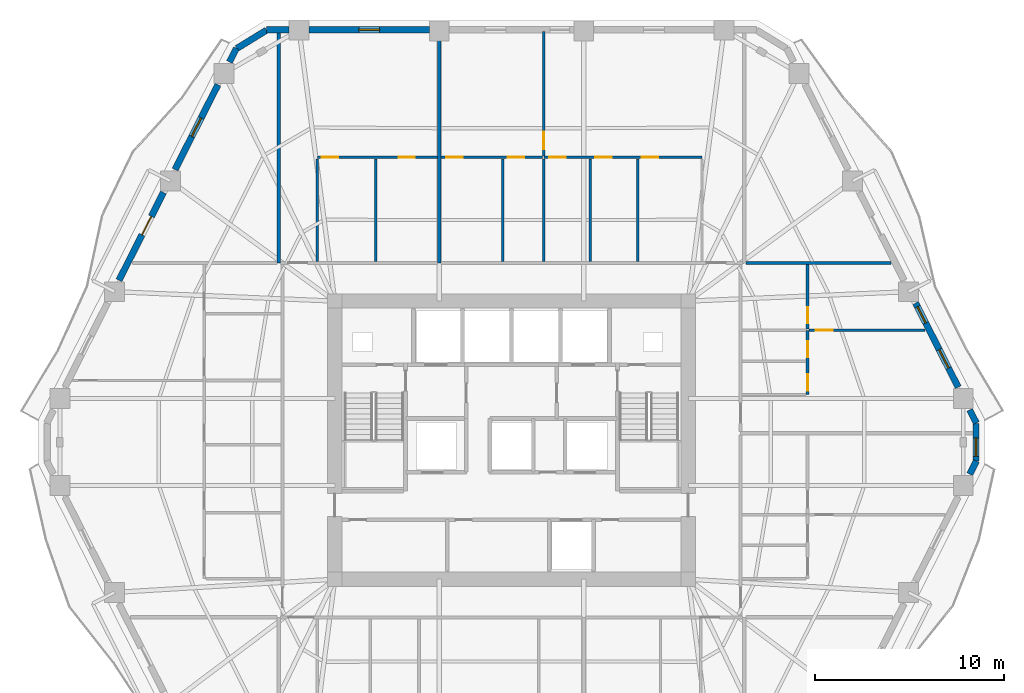
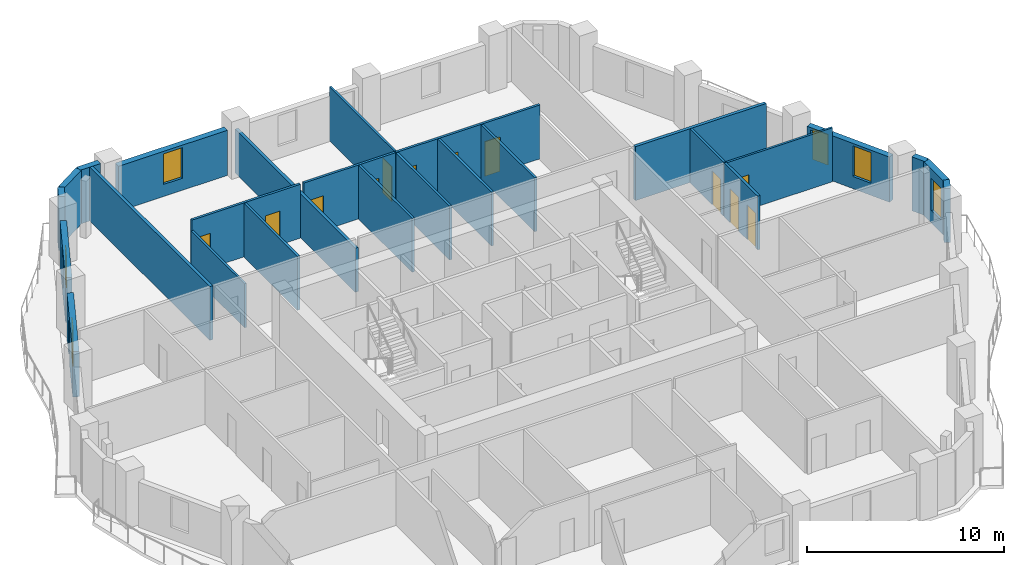
# One storey, part 7 of 11: 26 walls, 13 doors, 5 windows, 18 openings.
"""IFC4 building model written with IfcOpenShell, lengths in metres."""

from ifc_helpers import new_model, si_unit, direction, frame, frame_2d, origin, place, context, subcontext, project, spatial, rectangle, extrude, material, layer, layer_set, type_object, element, fill, save


model = new_model("IFC4")

# Units and contexts
model_context = context("Model", 3, precision=1e-05, world=origin(), true_north=direction((0.0, 1.0)))
body_context = subcontext(model_context, "Body", "Model", "MODEL_VIEW")
ifc_project = project(units=[si_unit("LENGTHUNIT", "METRE"), si_unit("AREAUNIT", "SQUARE_METRE"), si_unit("VOLUMEUNIT", "CUBIC_METRE"), si_unit("PLANEANGLEUNIT", "RADIAN"), si_unit("MASSUNIT", "GRAM", prefix="KILO")], contexts=[model_context])

# Site, building, storey
site_placement = place(None, origin())
site = spatial("IfcSite", under=ifc_project, at=site_placement, CompositionType="ELEMENT")
building_placement = place(site_placement, origin())
building = spatial("IfcBuilding", under=site, at=building_placement, Name="Cinnabar Lancet Tower", CompositionType="ELEMENT")
storey_placement = place(building_placement, frame((0.0, 0.0, 101.949951171875)))
storey = spatial("IfcBuildingStorey", under=building, at=storey_placement, Name="L26", CompositionType="ELEMENT", Elevation=101.949951171875)

# Walls
ifc_material_1 = material(Name="Fire-rated twin-frame acoustic drywall", Category="gypsum")
ifc_layer_1 = layer(ifc_material_1, 0.179931640625)
ifc_layer_set_1 = layer_set([ifc_layer_1], Name="Fire-rated twin-frame acoustic drywall")
wall_type_1 = type_object("IfcWallType", Name="ARC-WL-PARTY-180", PredefinedType="PARTITIONING", material=ifc_layer_set_1)
wall_1_placement = place(storey_placement, frame((20.050048828125, 35.300048828125, 0.0), z_axis=(0.0, 0.0, 1.0), x_axis=(0.0, 1.0, 0.0)))
element("IfcWall", 1, at=wall_1_placement, inside=storey, type_object=wall_type_1, Name="PW-L26-NPTY-200", PredefinedType="PARTITIONING", context=body_context, shape_type="SweptSolid", body=[
    extrude(rectangle(XDim=12.195068359375, YDim=0.179931640625, at=frame_2d((6.09765625, 0.0))), origin(), (0.0, 0.0, 1.0), 3.340087890625),
])
wall_2_placement = place(storey_placement, frame((28.568115234375, 35.300048828125, 0.0), z_axis=(0.0, 0.0, 1.0), x_axis=(0.0, 1.0, 0.0)))
element("IfcWall", 2, at=wall_2_placement, inside=storey, type_object=wall_type_1, Name="PW-L26-NPTY-286", PredefinedType="PARTITIONING", context=body_context, shape_type="SweptSolid", body=[
    extrude(rectangle(XDim=12.195068359375, YDim=0.179931640625, at=frame_2d((6.09765625, 0.0))), origin(), (0.0, 0.0, 1.0), 2.72216796875),
])
wall_3_placement = place(storey_placement, frame((44.844970703125, 35.300048828125, 0.0), z_axis=(0.0, 0.0, 1.0), x_axis=(1.0, 0.0, 0.0)))
element("IfcWall", 3, at=wall_3_placement, inside=storey, type_object=wall_type_1, Name="PW-L26-ENB", PredefinedType="PARTITIONING", context=body_context, shape_type="SweptSolid", body=[
    extrude(rectangle(XDim=7.6689453125, YDim=0.179931640625, at=frame_2d((3.83447265625, 0.0))), origin(), (0.0, 0.0, 1.0), 3.340087890625),
])
ifc_material_2 = material(Name="Gypsum plasterboard stud partition", Category="gypsum")
ifc_layer_2 = layer(ifc_material_2, 0.125)
ifc_layer_set_2 = layer_set([ifc_layer_2], Name="Gypsum plasterboard stud partition")
wall_type_2 = type_object("IfcWallType", Name="ARC-WL-UNIT-125", PredefinedType="PARTITIONING", material=ifc_layer_set_2)
wall_4_placement = place(storey_placement, frame((22.10009765625, 35.385009765625, 0.0), z_axis=(0.0, 0.0, 1.0), x_axis=(0.0, 1.0, 0.0)))
element("IfcWall", 4, at=wall_4_placement, inside=storey, type_object=wall_type_2, Name="UW-L26-N01-FOYE", PredefinedType="PARTITIONING", context=body_context, shape_type="SweptSolid", body=[
    extrude(rectangle(XDim=5.419921875, YDim=0.125, at=frame_2d((2.7099609375, 0.0))), origin(), (0.0, 0.0, 1.0), 2.72216796875),
])

# Wall, opening, door
wall_5_placement = place(storey_placement, frame((34.111083984375, 40.985107421875, 0.0), z_axis=(0.0, 0.0, 1.0), x_axis=(0.0, 1.0, 0.0)))
wall_5 = element("IfcWall", 5, at=wall_5_placement, inside=storey, type_object=wall_type_2, Name="UW-L26-N02-MBW", PredefinedType="PARTITIONING", context=body_context, shape_type="SweptSolid", body=[
    extrude(rectangle(XDim=6.599853515625, YDim=0.125, at=frame_2d((3.2998046875, 0.0))), origin(), (0.0, 0.0, 1.0), 3.340087890625),
])
opening_1_placement = place(wall_5_placement, frame((0.35009765625, 0.0, 0.0)))
opening_1 = element("IfcOpeningElement", 6, at=opening_1_placement, cuts=wall_5, Name="Opening RD-01", PredefinedType="OPENING", context=body_context, shape_type="SweptSolid", body=[
    extrude(rectangle(XDim=0.919921875, YDim=2.14990234375, at=frame_2d((0.4599609375, 1.074951171875))), frame((0.0, 0.072509765625, 0.0), z_axis=(0.0, -1.0, 0.0), x_axis=(1.0, 0.0, 0.0)), (0.0, 0.0, 1.0), 0.14501953125),
])
ifc_material_3 = material(Name="Engineered timber bedroom door", Category="wood")
door_type_1 = type_object("IfcDoorType", Name="ARC-DR-ROOM", OperationType="NOTDEFINED", PredefinedType="DOOR", material=ifc_material_3)
door_1_placement = place(opening_1_placement, origin())
door_1 = element("IfcDoor", 7, at=door_1_placement, inside=storey, type_object=door_type_1, Name="DR-L26-N02-MBD", OperationType="SINGLE_SWING_RIGHT", OverallHeight=2.14990234375, OverallWidth=0.919921875, PredefinedType="DOOR", context=body_context, shape_type="SweptSolid", body=[
    extrude(rectangle(XDim=0.919921875, YDim=2.14990234375, at=frame_2d((0.4599609375, 1.074951171875))), frame((0.0, 0.02490234375, 0.0), z_axis=(0.0, -1.0, 0.0), x_axis=(1.0, 0.0, 0.0)), (0.0, 0.0, 1.0), 0.050048828125),
])
fill(opening_1, door_1)

wall_6_placement = place(storey_placement, frame((48.175048828125, 31.72607421875, 0.0), z_axis=(0.0, 0.0, 1.0), x_axis=(1.0, 0.0, 0.0)))
wall_6 = element("IfcWall", 8, at=wall_6_placement, inside=storey, type_object=wall_type_2, Name="UW-L26-E02-MBN", PredefinedType="PARTITIONING", context=body_context, shape_type="SweptSolid", body=[
    extrude(rectangle(XDim=6.161865234375, YDim=0.125, at=frame_2d((3.0810546875, 0.0))), origin(), (0.0, 0.0, 1.0), 3.340087890625),
])
opening_2_placement = place(wall_6_placement, frame((0.35009765625, 0.0, 0.0)))
opening_2 = element("IfcOpeningElement", 9, at=opening_2_placement, cuts=wall_6, Name="Opening RD-01", PredefinedType="OPENING", context=body_context, shape_type="SweptSolid", body=[
    extrude(rectangle(XDim=0.919921875, YDim=2.14990234375, at=frame_2d((0.4599609375, 1.074951171875))), frame((0.0, 0.072509765625, 0.0), z_axis=(0.0, -1.0, 0.0), x_axis=(1.0, 0.0, 0.0)), (0.0, 0.0, 1.0), 0.14501953125),
])
door_2_placement = place(opening_2_placement, origin())
door_2 = element("IfcDoor", 10, at=door_2_placement, inside=storey, type_object=door_type_1, Name="DR-L26-E02-MBD", OperationType="SINGLE_SWING_LEFT", OverallHeight=2.14990234375, OverallWidth=0.919921875, PredefinedType="DOOR", context=body_context, shape_type="SweptSolid", body=[
    extrude(rectangle(XDim=0.919921875, YDim=2.14990234375, at=frame_2d((0.4599609375, 1.074951171875))), frame((0.0, 0.02490234375, 0.0), z_axis=(0.0, -1.0, 0.0), x_axis=(1.0, 0.0, 0.0)), (0.0, 0.0, 1.0), 0.050048828125),
])
fill(opening_2, door_2)

# Wall, openings, doors
ifc_material_4 = material(Name="Moisture-resistant cement-board plumbing wall", Category="masonry")
ifc_layer_3 = layer(ifc_material_4, 0.139892578125)
ifc_layer_set_3 = layer_set([ifc_layer_3], Name="Moisture-resistant cement-board plumbing wall")
wall_type_3 = type_object("IfcWallType", Name="ARC-WL-WET-140", PredefinedType="PLUMBINGWALL", material=ifc_layer_set_3)
wall_7_placement = place(storey_placement, frame((22.10009765625, 40.909912109375, 0.0), z_axis=(0.0, 0.0, 1.0), x_axis=(1.0, 0.0, 0.0)))
wall_7 = element("IfcWall", 11, at=wall_7_placement, inside=storey, type_object=wall_type_3, Name="UW-L26-N01-SPL", PredefinedType="PLUMBINGWALL", context=body_context, shape_type="SweptSolid", body=[
    extrude(rectangle(XDim=6.372802734375, YDim=0.139892578125, at=frame_2d((3.1865234375, 0.0))), origin(), (0.0, 0.0, 1.0), 3.340087890625),
])
opening_3_placement = place(wall_7_placement, frame((4.31396484375, 0.0, 0.0)))
opening_3 = element("IfcOpeningElement", 12, at=opening_3_placement, cuts=wall_7, Name="Opening BD-01", PredefinedType="OPENING", context=body_context, shape_type="SweptSolid", body=[
    extrude(rectangle(XDim=0.860107421875, YDim=2.10009765625, at=frame_2d((0.43017578125, 1.050048828125))), frame((0.0, 0.079833984375, 0.0), z_axis=(0.0, -1.0, 0.0), x_axis=(1.0, 0.0, 0.0)), (0.0, 0.0, 1.0), 0.159912109375),
])
opening_4_placement = place(wall_7_placement, frame((0.219970703125, 0.0, 0.0)))
opening_4 = element("IfcOpeningElement", 13, at=opening_4_placement, cuts=wall_7, Name="Opening RD-02", PredefinedType="OPENING", context=body_context, shape_type="SweptSolid", body=[
    extrude(rectangle(XDim=0.8798828125, YDim=2.14990234375, at=frame_2d((0.43994140625, 1.074951171875))), frame((0.0, 0.079833984375, 0.0), z_axis=(0.0, -1.0, 0.0), x_axis=(1.0, 0.0, 0.0)), (0.0, 0.0, 1.0), 0.159912109375),
])
ifc_material_5 = material(Name="Moisture-resistant timber bathroom door", Category="wood")
door_type_2 = type_object("IfcDoorType", Name="ARC-DR-BATH", OperationType="NOTDEFINED", PredefinedType="DOOR", material=ifc_material_5)
door_3_placement = place(opening_3_placement, origin())
door_3 = element("IfcDoor", 14, at=door_3_placement, inside=storey, type_object=door_type_2, Name="DR-L26-N01-BTH", OperationType="SINGLE_SWING_RIGHT", OverallHeight=2.10009765625, OverallWidth=0.860107421875, PredefinedType="DOOR", context=body_context, shape_type="SweptSolid", body=[
    extrude(rectangle(XDim=0.860107421875, YDim=2.10009765625, at=frame_2d((0.43017578125, 1.050048828125))), frame((0.0, 0.02490234375, 0.0), z_axis=(0.0, -1.0, 0.0), x_axis=(1.0, 0.0, 0.0)), (0.0, 0.0, 1.0), 0.050048828125),
])
fill(opening_3, door_3)
ifc_material_6 = material(Name="Engineered timber study door", Category="wood")
door_type_3 = type_object("IfcDoorType", Name="ARC-DR-STUDY", OperationType="NOTDEFINED", PredefinedType="DOOR", material=ifc_material_6)
door_4_placement = place(opening_4_placement, origin())
door_4 = element("IfcDoor", 15, at=door_4_placement, inside=storey, type_object=door_type_3, Name="DR-L26-N01-KIT", OperationType="SINGLE_SWING_LEFT", OverallHeight=2.14990234375, OverallWidth=0.8798828125, PredefinedType="DOOR", context=body_context, shape_type="SweptSolid", body=[
    extrude(rectangle(XDim=0.8798828125, YDim=2.14990234375, at=frame_2d((0.43994140625, 1.074951171875))), frame((0.0, 0.02490234375, 0.0), z_axis=(0.0, -1.0, 0.0), x_axis=(1.0, 0.0, 0.0)), (0.0, 0.0, 1.0), 0.050048828125),
])
fill(opening_4, door_4)

# Wall
wall_8_placement = place(storey_placement, frame((25.205078125, 35.385009765625, 0.0), z_axis=(0.0, 0.0, 1.0), x_axis=(0.0, 1.0, 0.0)))
element("IfcWall", 16, at=wall_8_placement, inside=storey, type_object=wall_type_3, Name="UW-L26-N01-KDV", PredefinedType="PLUMBINGWALL", context=body_context, shape_type="SweptSolid", body=[
    extrude(rectangle(XDim=5.419921875, YDim=0.139892578125, at=frame_2d((2.7099609375, 0.0))), origin(), (0.0, 0.0, 1.0), 3.340087890625),
])

# Wall, openings, doors
wall_9_placement = place(storey_placement, frame((34.111083984375, 40.909912109375, 0.0), z_axis=(0.0, 0.0, 1.0), x_axis=(1.0, 0.0, 0.0)))
wall_9 = element("IfcWall", 17, at=wall_9_placement, inside=storey, type_object=wall_type_3, Name="UW-L26-N02-SPL", PredefinedType="PLUMBINGWALL", context=body_context, shape_type="SweptSolid", body=[
    extrude(rectangle(XDim=8.388916015625, YDim=0.139892578125, at=frame_2d((4.1943359375, 0.0))), origin(), (0.0, 0.0, 1.0), 3.340087890625),
])
opening_5_placement = place(wall_9_placement, frame((0.280029296875, 0.0, 0.0)))
opening_5 = element("IfcOpeningElement", 18, at=opening_5_placement, cuts=wall_9, Name="Opening RD-02", PredefinedType="OPENING", context=body_context, shape_type="SweptSolid", body=[
    extrude(rectangle(XDim=0.8798828125, YDim=2.14990234375, at=frame_2d((0.43994140625, 1.074951171875))), frame((0.0, 0.079833984375, 0.0), z_axis=(0.0, -1.0, 0.0), x_axis=(1.0, 0.0, 0.0)), (0.0, 0.0, 1.0), 0.159912109375),
])
opening_6_placement = place(wall_9_placement, frame((2.737060546875, 0.0, 0.0)))
opening_6 = element("IfcOpeningElement", 19, at=opening_6_placement, cuts=wall_9, Name="Opening BD-01", PredefinedType="OPENING", context=body_context, shape_type="SweptSolid", body=[
    extrude(rectangle(XDim=0.860107421875, YDim=2.10009765625, at=frame_2d((0.43017578125, 1.050048828125))), frame((0.0, 0.079833984375, 0.0), z_axis=(0.0, -1.0, 0.0), x_axis=(1.0, 0.0, 0.0)), (0.0, 0.0, 1.0), 0.159912109375),
])
opening_7_placement = place(wall_9_placement, frame((5.18896484375, 0.0, 0.0)))
opening_7 = element("IfcOpeningElement", 20, at=opening_7_placement, cuts=wall_9, Name="Opening RD-02", PredefinedType="OPENING", context=body_context, shape_type="SweptSolid", body=[
    extrude(rectangle(XDim=0.8798828125, YDim=2.14990234375, at=frame_2d((0.43994140625, 1.074951171875))), frame((0.0, 0.079833984375, 0.0), z_axis=(0.0, -1.0, 0.0), x_axis=(1.0, 0.0, 0.0)), (0.0, 0.0, 1.0), 0.159912109375),
])
door_5_placement = place(opening_6_placement, origin())
door_5 = element("IfcDoor", 21, at=door_5_placement, inside=storey, type_object=door_type_2, Name="DR-L26-N02-BTH", OperationType="SINGLE_SWING_LEFT", OverallHeight=2.10009765625, OverallWidth=0.860107421875, PredefinedType="DOOR", context=body_context, shape_type="SweptSolid", body=[
    extrude(rectangle(XDim=0.860107421875, YDim=2.10009765625, at=frame_2d((0.43017578125, 1.050048828125))), frame((0.0, 0.02490234375, 0.0), z_axis=(0.0, -1.0, 0.0), x_axis=(1.0, 0.0, 0.0)), (0.0, 0.0, 1.0), 0.050048828125),
])
fill(opening_6, door_5)
door_6_placement = place(opening_5_placement, origin())
door_6 = element("IfcDoor", 22, at=door_6_placement, inside=storey, type_object=door_type_3, Name="DR-L26-N02-BTH-WDR", OperationType="SINGLE_SWING_RIGHT", OverallHeight=2.14990234375, OverallWidth=0.8798828125, PredefinedType="DOOR", context=body_context, shape_type="SweptSolid", body=[
    extrude(rectangle(XDim=0.8798828125, YDim=2.14990234375, at=frame_2d((0.43994140625, 1.074951171875))), frame((0.0, 0.02490234375, 0.0), z_axis=(0.0, -1.0, 0.0), x_axis=(1.0, 0.0, 0.0)), (0.0, 0.0, 1.0), 0.050048828125),
])
fill(opening_5, door_6)
door_7_placement = place(opening_7_placement, origin())
door_7 = element("IfcDoor", 23, at=door_7_placement, inside=storey, type_object=door_type_3, Name="DR-L26-N02-KIT", OperationType="SINGLE_SWING_LEFT", OverallHeight=2.14990234375, OverallWidth=0.8798828125, PredefinedType="DOOR", context=body_context, shape_type="SweptSolid", body=[
    extrude(rectangle(XDim=0.8798828125, YDim=2.14990234375, at=frame_2d((0.43994140625, 1.074951171875))), frame((0.0, 0.02490234375, 0.0), z_axis=(0.0, -1.0, 0.0), x_axis=(1.0, 0.0, 0.0)), (0.0, 0.0, 1.0), 0.050048828125),
])
fill(opening_7, door_7)

wall_10_placement = place(storey_placement, frame((28.6630859375, 40.909912109375, 0.0), z_axis=(0.0, 0.0, 1.0), x_axis=(1.0, 0.0, 0.0)))
wall_10 = element("IfcWall", 24, at=wall_10_placement, inside=storey, type_object=wall_type_3, Name="UW-L26-N02-SPM", PredefinedType="PLUMBINGWALL", context=body_context, shape_type="SweptSolid", body=[
    extrude(rectangle(XDim=5.372802734375, YDim=0.139892578125, at=frame_2d((2.6865234375, 0.0))), origin(), (0.0, 0.0, 1.0), 3.340087890625),
])
opening_8_placement = place(wall_10_placement, frame((0.280029296875, 0.0, 0.0)))
opening_8 = element("IfcOpeningElement", 25, at=opening_8_placement, cuts=wall_10, Name="Opening RD-02", PredefinedType="OPENING", context=body_context, shape_type="SweptSolid", body=[
    extrude(rectangle(XDim=0.8798828125, YDim=2.14990234375, at=frame_2d((0.43994140625, 1.074951171875))), frame((0.0, 0.079833984375, 0.0), z_axis=(0.0, -1.0, 0.0), x_axis=(1.0, 0.0, 0.0)), (0.0, 0.0, 1.0), 0.159912109375),
])
opening_9_placement = place(wall_10_placement, frame((3.54296875, 0.0, 0.0)))
opening_9 = element("IfcOpeningElement", 26, at=opening_9_placement, cuts=wall_10, Name="Opening BD-01", PredefinedType="OPENING", context=body_context, shape_type="SweptSolid", body=[
    extrude(rectangle(XDim=0.860107421875, YDim=2.10009765625, at=frame_2d((0.43017578125, 1.050048828125))), frame((0.0, 0.079833984375, 0.0), z_axis=(0.0, -1.0, 0.0), x_axis=(1.0, 0.0, 0.0)), (0.0, 0.0, 1.0), 0.159912109375),
])
door_8_placement = place(opening_9_placement, origin())
door_8 = element("IfcDoor", 27, at=door_8_placement, inside=storey, type_object=door_type_2, Name="DR-L26-N02-ENS", OperationType="SINGLE_SWING_RIGHT", OverallHeight=2.10009765625, OverallWidth=0.860107421875, PredefinedType="DOOR", context=body_context, shape_type="SweptSolid", body=[
    extrude(rectangle(XDim=0.860107421875, YDim=2.10009765625, at=frame_2d((0.43017578125, 1.050048828125))), frame((0.0, 0.02490234375, 0.0), z_axis=(0.0, -1.0, 0.0), x_axis=(1.0, 0.0, 0.0)), (0.0, 0.0, 1.0), 0.050048828125),
])
fill(opening_9, door_8)
door_9_placement = place(opening_8_placement, origin())
door_9 = element("IfcDoor", 28, at=door_9_placement, inside=storey, type_object=door_type_3, Name="DR-L26-N02-ENS-WDR", OperationType="SINGLE_SWING_LEFT", OverallHeight=2.14990234375, OverallWidth=0.8798828125, PredefinedType="DOOR", context=body_context, shape_type="SweptSolid", body=[
    extrude(rectangle(XDim=0.8798828125, YDim=2.14990234375, at=frame_2d((0.43994140625, 1.074951171875))), frame((0.0, 0.02490234375, 0.0), z_axis=(0.0, -1.0, 0.0), x_axis=(1.0, 0.0, 0.0)), (0.0, 0.0, 1.0), 0.050048828125),
])
fill(opening_8, door_9)

# Walls
for number, where, z_axis, x_axis, name in (
    (29, (39.10009765625, 35.385009765625, 0.0), (0.0, 0.0, 1.0), (0.0, 1.0, 0.0), "UW-L26-N02-KBD"),
    (30, (34.111083984375, 35.385009765625, 0.0), (0.0, 0.0, 1.0), (0.0, 1.0, 0.0), "UW-L26-N02-ENSW"),
):
    element("IfcWall", number, at=place(storey_placement, frame(where, z_axis=z_axis, x_axis=x_axis)), inside=storey, type_object=wall_type_3, Name=name, PredefinedType="PLUMBINGWALL", context=body_context, shape_type="SweptSolid", body=[
        extrude(rectangle(XDim=5.419921875, YDim=0.139892578125, at=frame_2d((2.7099609375, 0.0))), origin(), (0.0, 0.0, 1.0), 3.340087890625),
    ])
for number, where, z_axis, x_axis, name in (
    (31, (36.568115234375, 35.385009765625, 0.0), (0.0, 0.0, 1.0), (0.0, 1.0, 0.0), "UW-L26-N02-BTH-WDV"),
    (32, (31.926025390625, 35.385009765625, 0.0), (0.0, 0.0, 1.0), (0.0, 1.0, 0.0), "UW-L26-N02-ENS-WDV"),
):
    element("IfcWall", number, at=place(storey_placement, frame(where, z_axis=z_axis, x_axis=x_axis)), inside=storey, type_object=wall_type_3, Name=name, PredefinedType="PLUMBINGWALL", context=body_context, shape_type="SweptSolid", body=[
        extrude(rectangle(XDim=5.43994140625, YDim=0.139892578125, at=frame_2d((2.719970703125, 0.0))), origin(), (0.0, 0.0, 1.0), 3.340087890625),
    ])

# Wall, openings, doors
wall_11_placement = place(storey_placement, frame((48.10009765625, 28.325927734375, 0.0), z_axis=(0.0, 0.0, 1.0), x_axis=(0.0, 1.0, 0.0)))
wall_11 = element("IfcWall", 33, at=wall_11_placement, inside=storey, type_object=wall_type_3, Name="UW-L26-E02-SPL", PredefinedType="PLUMBINGWALL", context=body_context, shape_type="SweptSolid", body=[
    extrude(rectangle(XDim=3.400146484375, YDim=0.139892578125, at=frame_2d((1.7001953125, 0.0))), origin(), (0.0, 0.0, 1.0), 3.340087890625),
])
opening_10_placement = place(wall_11_placement, frame((0.199951171875, 0.0, 0.0)))
opening_10 = element("IfcOpeningElement", 34, at=opening_10_placement, cuts=wall_11, Name="Opening RD-02", PredefinedType="OPENING", context=body_context, shape_type="SweptSolid", body=[
    extrude(rectangle(XDim=0.8798828125, YDim=2.14990234375, at=frame_2d((0.43994140625, 1.074951171875))), frame((0.0, 0.079833984375, 0.0), z_axis=(0.0, -1.0, 0.0), x_axis=(1.0, 0.0, 0.0)), (0.0, 0.0, 1.0), 0.159912109375),
])
opening_11_placement = place(wall_11_placement, frame((1.968017578125, 0.0, 0.0)))
opening_11 = element("IfcOpeningElement", 35, at=opening_11_placement, cuts=wall_11, Name="Opening BD-01", PredefinedType="OPENING", context=body_context, shape_type="SweptSolid", body=[
    extrude(rectangle(XDim=0.860107421875, YDim=2.10009765625, at=frame_2d((0.43017578125, 1.050048828125))), frame((0.0, 0.079833984375, 0.0), z_axis=(0.0, -1.0, 0.0), x_axis=(1.0, 0.0, 0.0)), (0.0, 0.0, 1.0), 0.159912109375),
])
door_10_placement = place(opening_11_placement, origin())
door_10 = element("IfcDoor", 36, at=door_10_placement, inside=storey, type_object=door_type_2, Name="DR-L26-E02-BTH", OperationType="SINGLE_SWING_LEFT", OverallHeight=2.10009765625, OverallWidth=0.860107421875, PredefinedType="DOOR", context=body_context, shape_type="SweptSolid", body=[
    extrude(rectangle(XDim=0.860107421875, YDim=2.10009765625, at=frame_2d((0.43017578125, 1.050048828125))), frame((0.0, 0.02490234375, 0.0), z_axis=(0.0, -1.0, 0.0), x_axis=(1.0, 0.0, 0.0)), (0.0, 0.0, 1.0), 0.050048828125),
])
fill(opening_11, door_10)
door_11_placement = place(opening_10_placement, origin())
door_11 = element("IfcDoor", 37, at=door_11_placement, inside=storey, type_object=door_type_3, Name="DR-L26-E02-KIT", OperationType="SINGLE_SWING_RIGHT", OverallHeight=2.14990234375, OverallWidth=0.8798828125, PredefinedType="DOOR", context=body_context, shape_type="SweptSolid", body=[
    extrude(rectangle(XDim=0.8798828125, YDim=2.14990234375, at=frame_2d((0.43994140625, 1.074951171875))), frame((0.0, 0.02490234375, 0.0), z_axis=(0.0, -1.0, 0.0), x_axis=(1.0, 0.0, 0.0)), (0.0, 0.0, 1.0), 0.050048828125),
])
fill(opening_10, door_11)

# Wall, opening, door
wall_12_placement = place(storey_placement, frame((48.10009765625, 31.7958984375, 0.0), z_axis=(0.0, 0.0, 1.0), x_axis=(0.0, 1.0, 0.0)))
wall_12 = element("IfcWall", 38, at=wall_12_placement, inside=storey, type_object=wall_type_3, Name="UW-L26-E02-SPM", PredefinedType="PLUMBINGWALL", context=body_context, shape_type="SweptSolid", body=[
    extrude(rectangle(XDim=3.4091796875, YDim=0.139892578125, at=frame_2d((1.70458984375, 0.0))), origin(), (0.0, 0.0, 1.0), 3.340087890625),
])
opening_12_placement = place(wall_12_placement, frame((0.300048828125, 0.0, 0.0)))
opening_12 = element("IfcOpeningElement", 39, at=opening_12_placement, cuts=wall_12, Name="Opening BD-01", PredefinedType="OPENING", context=body_context, shape_type="SweptSolid", body=[
    extrude(rectangle(XDim=0.860107421875, YDim=2.10009765625, at=frame_2d((0.43017578125, 1.050048828125))), frame((0.0, 0.079833984375, 0.0), z_axis=(0.0, -1.0, 0.0), x_axis=(1.0, 0.0, 0.0)), (0.0, 0.0, 1.0), 0.159912109375),
])
door_12_placement = place(opening_12_placement, origin())
door_12 = element("IfcDoor", 40, at=door_12_placement, inside=storey, type_object=door_type_2, Name="DR-L26-E02-ENS", OperationType="SINGLE_SWING_LEFT", OverallHeight=2.10009765625, OverallWidth=0.860107421875, PredefinedType="DOOR", context=body_context, shape_type="SweptSolid", body=[
    extrude(rectangle(XDim=0.860107421875, YDim=2.10009765625, at=frame_2d((0.43017578125, 1.050048828125))), frame((0.0, 0.02490234375, 0.0), z_axis=(0.0, -1.0, 0.0), x_axis=(1.0, 0.0, 0.0)), (0.0, 0.0, 1.0), 0.050048828125),
])
fill(opening_12, door_12)

# Wall, opening, window
ifc_material_7 = material(Name="Cinnabar red clay brick", Category="masonry")
ifc_layer_4 = layer(ifc_material_7, 0.340087890625)
ifc_layer_set_4 = layer_set([ifc_layer_4], Name="Cinnabar red clay brick")
wall_type_4 = type_object("IfcWallType", Name="ENV-WL-BRK-RED-340", PredefinedType="STANDARD", material=ifc_layer_set_4)
wall_13_placement = place(storey_placement, frame((57.032958984375, 24.802978515625, 0.0), z_axis=(0.0, 0.0, 1.0), x_axis=(0.0, 1.0, 0.0)))
wall_13 = element("IfcWall", 41, at=wall_13_placement, inside=storey, type_object=wall_type_4, Name="L26 Chamfered Corner Brick Pier 3.1", PredefinedType="STANDARD", context=body_context, shape_type="SweptSolid", body=[
    extrude(rectangle(XDim=1.994140625, YDim=0.340087890625, at=frame_2d((0.9970703125, 0.0))), origin(), (0.0, 0.0, 1.0), 3.340087890625),
])
opening_13_placement = place(wall_13_placement, frame((0.239990234375, 0.0, 0.75)))
opening_13 = element("IfcOpeningElement", 42, at=opening_13_placement, cuts=wall_13, Name="Opening WN-04", PredefinedType="OPENING", context=body_context, shape_type="SweptSolid", body=[
    extrude(rectangle(XDim=0.972900390625, YDim=2.0, at=frame_2d((0.486328125, 1.0))), frame((0.0, 0.179931640625, 0.0), z_axis=(0.0, -1.0, 0.0), x_axis=(1.0, 0.0, 0.0)), (0.0, 0.0, 1.0), 0.360107421875),
])
ifc_material_8 = material(Name="Thermally broken bronze-anodized aluminium tall lancet window", Category="aluminium")
window_type = type_object("IfcWindowType", Name="ENV-WN-LANCET-1100", PartitioningType="SINGLE_PANEL", PredefinedType="WINDOW", material=ifc_material_8)
window_1_placement = place(opening_13_placement, origin())
window_1 = element("IfcWindow", 43, at=window_1_placement, inside=storey, type_object=window_type, Name="L26 Dwelling Gothic Lancet Window 316", OverallHeight=2.0, OverallWidth=0.972900390625, PartitioningType="SINGLE_PANEL", PredefinedType="WINDOW", context=body_context, shape_type="SweptSolid", body=[
    extrude(rectangle(XDim=0.972900390625, YDim=2.0, at=frame_2d((0.486328125, 1.0))), frame((0.0, 0.030029296875, 0.0), z_axis=(0.0, -1.0, 0.0), x_axis=(1.0, 0.0, 0.0)), (0.0, 0.0, 1.0), 0.06005859375),
])
fill(opening_13, window_1)

# Walls
wall_14_placement = place(storey_placement, frame((19.403076171875, 47.64501953125, 0.0), z_axis=(0.0, 0.0, 1.0), x_axis=(-0.851798915137, -0.523868884523, 0.0)))
element("IfcWall", 44, at=wall_14_placement, inside=storey, type_object=wall_type_4, Name="L26 Chamfered Corner Brick Pier 5.1", PredefinedType="STANDARD", context=body_context, shape_type="SweptSolid", body=[
    extrude(rectangle(XDim=1.847900390625, YDim=0.340087890625, at=frame_2d((0.923828125, 0.0))), origin(), (0.0, 0.0, 1.0), 3.340087890625),
])
for number, where, z_axis, x_axis, name in (
    (45, (56.699951171875, 24.096923828125, 0.0), (0.0, 0.0, 1.0), (0.451819324107, 0.89210946546, 0.0), "L26 Face 2 Masonry Bay Wall 5"),
    (46, (57.053955078125, 26.803955078125, 0.0), (0.0, 0.0, 1.0), (-0.451819324107, 0.89210946546, 0.0), "L26 Face 3 Masonry Bay Wall 1"),
):
    element("IfcWall", number, at=place(storey_placement, frame(where, z_axis=z_axis, x_axis=x_axis)), inside=storey, type_object=wall_type_4, Name=name, PredefinedType="STANDARD", context=body_context, shape_type="SweptSolid", body=[
        extrude(rectangle(XDim=0.783447265625, YDim=0.340087890625, at=frame_2d((0.3916015625, 0.0))), origin(), (0.0, 0.0, 1.0), 3.340087890625),
    ])

# Wall, openings, windows
wall_15_placement = place(storey_placement, frame((56.0869140625, 28.715087890625, 0.0), z_axis=(0.0, 0.0, 1.0), x_axis=(-0.451431617681, 0.892305718102, 0.0)))
wall_15 = element("IfcWall", 47, at=wall_15_placement, inside=storey, type_object=wall_type_4, Name="L26 Face 3 Masonry Bay Wall 2", PredefinedType="STANDARD", context=body_context, shape_type="SweptSolid", body=[
    extrude(rectangle(XDim=4.994873046875, YDim=0.340087890625, at=frame_2d((2.49755859375, 0.0))), origin(), (0.0, 0.0, 1.0), 2.797119140625),
])
opening_14_placement = place(wall_15_placement, frame((1.1279296875, 0.0, 0.75)))
opening_14 = element("IfcOpeningElement", 48, at=opening_14_placement, cuts=wall_15, Name="Opening WN-04", PredefinedType="OPENING", context=body_context, shape_type="SweptSolid", body=[
    extrude(rectangle(XDim=1.10009765625, YDim=1.89697265625, at=frame_2d((0.550048828125, 0.948486328125))), frame((0.0, 0.179931640625, 0.0), z_axis=(0.0, -1.0, 0.0), x_axis=(1.0, 0.0, 0.0)), (0.0, 0.0, 1.0), 0.360107421875),
])
opening_15_placement = place(wall_15_placement, frame((3.81689453125, 0.0, 0.75)))
opening_15 = element("IfcOpeningElement", 49, at=opening_15_placement, cuts=wall_15, Name="Opening WN-04", PredefinedType="OPENING", context=body_context, shape_type="SweptSolid", body=[
    extrude(rectangle(XDim=0.9580078125, YDim=1.89697265625, at=frame_2d((0.47900390625, 0.948486328125))), frame((0.0, 0.179931640625, 0.0), z_axis=(0.0, -1.0, 0.0), x_axis=(1.0, 0.0, 0.0)), (0.0, 0.0, 1.0), 0.360107421875),
])
window_2_placement = place(opening_14_placement, origin())
window_2 = element("IfcWindow", 50, at=window_2_placement, inside=storey, type_object=window_type, Name="L26 Face 3 Gothic Lancet Window 2", OverallHeight=1.89697265625, OverallWidth=1.10009765625, PartitioningType="SINGLE_PANEL", PredefinedType="WINDOW", context=body_context, shape_type="SweptSolid", body=[
    extrude(rectangle(XDim=1.10009765625, YDim=1.89697265625, at=frame_2d((0.550048828125, 0.948486328125))), frame((0.0, 0.030029296875, 0.0), z_axis=(0.0, -1.0, 0.0), x_axis=(1.0, 0.0, 0.0)), (0.0, 0.0, 1.0), 0.06005859375),
])
fill(opening_14, window_2)
window_3_placement = place(opening_15_placement, origin())
window_3 = element("IfcWindow", 51, at=window_3_placement, inside=storey, type_object=window_type, Name="L26 Split-Bay Gothic Lancet Window 86", OverallHeight=1.89697265625, OverallWidth=0.9580078125, PartitioningType="SINGLE_PANEL", PredefinedType="WINDOW", context=body_context, shape_type="SweptSolid", body=[
    extrude(rectangle(XDim=0.9580078125, YDim=1.89697265625, at=frame_2d((0.47900390625, 0.948486328125))), frame((0.0, 0.030029296875, 0.0), z_axis=(0.0, -1.0, 0.0), x_axis=(1.0, 0.0, 0.0)), (0.0, 0.0, 1.0), 0.06005859375),
])
fill(opening_15, window_3)

# Wall, opening, window
wall_16_placement = place(storey_placement, frame((28.0390625, 47.669921875, 0.0), z_axis=(0.0, 0.0, 1.0), x_axis=(-1.0, 0.0, 0.0)))
wall_16 = element("IfcWall", 52, at=wall_16_placement, inside=storey, type_object=wall_type_4, Name="L26 Face 4 Masonry Bay Wall 4", PredefinedType="STANDARD", context=body_context, shape_type="SweptSolid", body=[
    extrude(rectangle(XDim=6.379150390625, YDim=0.340087890625, at=frame_2d((3.189453125, 0.0))), origin(), (0.0, 0.0, 1.0), 2.797119140625),
])
opening_16_placement = place(wall_16_placement, frame((2.639892578125, 0.0, 0.75)))
opening_16 = element("IfcOpeningElement", 53, at=opening_16_placement, cuts=wall_16, Name="Opening WN-04", PredefinedType="OPENING", context=body_context, shape_type="SweptSolid", body=[
    extrude(rectangle(XDim=1.10009765625, YDim=1.89697265625, at=frame_2d((0.550048828125, 0.948486328125))), frame((0.0, 0.179931640625, 0.0), z_axis=(0.0, -1.0, 0.0), x_axis=(1.0, 0.0, 0.0)), (0.0, 0.0, 1.0), 0.360107421875),
])
window_4_placement = place(opening_16_placement, origin())
window_4 = element("IfcWindow", 54, at=window_4_placement, inside=storey, type_object=window_type, Name="L26 Face 4 Gothic Lancet Window 4", OverallHeight=1.89697265625, OverallWidth=1.10009765625, PartitioningType="SINGLE_PANEL", PredefinedType="WINDOW", context=body_context, shape_type="SweptSolid", body=[
    extrude(rectangle(XDim=1.10009765625, YDim=1.89697265625, at=frame_2d((0.550048828125, 0.948486328125))), frame((0.0, 0.030029296875, 0.0), z_axis=(0.0, -1.0, 0.0), x_axis=(1.0, 0.0, 0.0)), (0.0, 0.0, 1.0), 0.06005859375),
])
fill(opening_16, window_4)

# Walls
wall_17_placement = place(storey_placement, frame((20.60205078125, 47.669921875, 0.0), z_axis=(0.0, 0.0, 1.0), x_axis=(-1.0, 0.0, 0.0)))
element("IfcWall", 55, at=wall_17_placement, inside=storey, type_object=wall_type_4, Name="L26 Face 4 Masonry Bay Wall 5", PredefinedType="STANDARD", context=body_context, shape_type="SweptSolid", body=[
    extrude(rectangle(XDim=1.2041015625, YDim=0.340087890625, at=frame_2d((0.60205078125, 0.0))), origin(), (0.0, 0.0, 1.0), 3.340087890625),
])
wall_18_placement = place(storey_placement, frame((17.80908203125, 46.693115234375, 0.0), z_axis=(0.0, 0.0, 1.0), x_axis=(-0.45160540153, -0.89221777684, 0.0)))
element("IfcWall", 56, at=wall_18_placement, inside=storey, type_object=wall_type_4, Name="L26 Face 5 Masonry Bay Wall 1", PredefinedType="STANDARD", context=body_context, shape_type="SweptSolid", body=[
    extrude(rectangle(XDim=0.82177734375, YDim=0.340087890625, at=frame_2d((0.410888671875, 0.0))), origin(), (0.0, 0.0, 1.0), 3.340087890625),
])

# Wall, opening, window
wall_19_placement = place(storey_placement, frame((16.824951171875, 44.748046875, 0.0), z_axis=(0.0, 0.0, 1.0), x_axis=(-0.451548465867, -0.892246593142, 0.0)))
wall_19 = element("IfcWall", 57, at=wall_19_placement, inside=storey, type_object=wall_type_4, Name="L26 Face 5 Masonry Bay Wall 2", PredefinedType="STANDARD", context=body_context, shape_type="SweptSolid", body=[
    extrude(rectangle(XDim=5.040283203125, YDim=0.340087890625, at=frame_2d((2.52001953125, 0.0))), origin(), (0.0, 0.0, 1.0), 2.797119140625),
])
opening_17_placement = place(wall_19_placement, frame((1.969970703125, 0.0, 0.75)))
opening_17 = element("IfcOpeningElement", 58, at=opening_17_placement, cuts=wall_19, Name="Opening WN-04", PredefinedType="OPENING", context=body_context, shape_type="SweptSolid", body=[
    extrude(rectangle(XDim=1.10009765625, YDim=1.89697265625, at=frame_2d((0.550048828125, 0.948486328125))), frame((0.0, 0.179931640625, 0.0), z_axis=(0.0, -1.0, 0.0), x_axis=(1.0, 0.0, 0.0)), (0.0, 0.0, 1.0), 0.360107421875),
])
window_5_placement = place(opening_17_placement, origin())
window_5 = element("IfcWindow", 59, at=window_5_placement, inside=storey, type_object=window_type, Name="L26 Face 5 Gothic Lancet Window 2", OverallHeight=1.89697265625, OverallWidth=1.10009765625, PartitioningType="SINGLE_PANEL", PredefinedType="WINDOW", context=body_context, shape_type="SweptSolid", body=[
    extrude(rectangle(XDim=1.10009765625, YDim=1.89697265625, at=frame_2d((0.550048828125, 0.948486328125))), frame((0.0, 0.030029296875, 0.0), z_axis=(0.0, -1.0, 0.0), x_axis=(1.0, 0.0, 0.0)), (0.0, 0.0, 1.0), 0.06005859375),
])
fill(opening_17, window_5)

# Wall, opening, door
wall_20_placement = place(storey_placement, frame((13.93701171875, 39.0390625, 0.0), z_axis=(0.0, 0.0, 1.0), x_axis=(-0.451567731634, -0.892236842855, 0.0)))
wall_20 = element("IfcWall", 60, at=wall_20_placement, inside=storey, type_object=wall_type_4, Name="L26 Face 5 Masonry Bay Wall 3", PredefinedType="STANDARD", context=body_context, shape_type="SweptSolid", body=[
    extrude(rectangle(XDim=5.219482421875, YDim=0.340087890625, at=frame_2d((2.60986328125, 0.0))), origin(), (0.0, 0.0, 1.0), 2.797119140625),
])
opening_18_placement = place(wall_20_placement, frame((1.419921875, 0.0, 0.0)))
opening_18 = element("IfcOpeningElement", 61, at=opening_18_placement, cuts=wall_20, Name="Opening TD-01", PredefinedType="OPENING", context=body_context, shape_type="SweptSolid", body=[
    extrude(rectangle(XDim=1.10009765625, YDim=2.25, at=frame_2d((0.550048828125, 1.125))), frame((0.0, 0.179931640625, 0.0), z_axis=(0.0, -1.0, 0.0), x_axis=(1.0, 0.0, 0.0)), (0.0, 0.0, 1.0), 0.360107421875),
])
ifc_material_9 = material(Name="Thermally broken low-E glazed balcony terrace door", Category="wood")
door_type_4 = type_object("IfcDoorType", Name="ARC-DR-BALC", OperationType="NOTDEFINED", PredefinedType="DOOR", material=ifc_material_9)
door_13_placement = place(opening_18_placement, origin())
door_13 = element("IfcDoor", 62, at=door_13_placement, inside=storey, type_object=door_type_4, Name="L26 Face 5 Glazed Terrace Door", OperationType="SINGLE_SWING_RIGHT", OverallHeight=2.25, OverallWidth=1.10009765625, PredefinedType="DOOR", context=body_context, shape_type="SweptSolid", body=[
    extrude(rectangle(XDim=1.10009765625, YDim=2.25, at=frame_2d((0.550048828125, 1.125))), frame((0.0, 0.02490234375, 0.0), z_axis=(0.0, -1.0, 0.0), x_axis=(1.0, 0.0, 0.0)), (0.0, 0.0, 1.0), 0.050048828125),
])
fill(opening_18, door_13)

save(model, "model.ifc")
